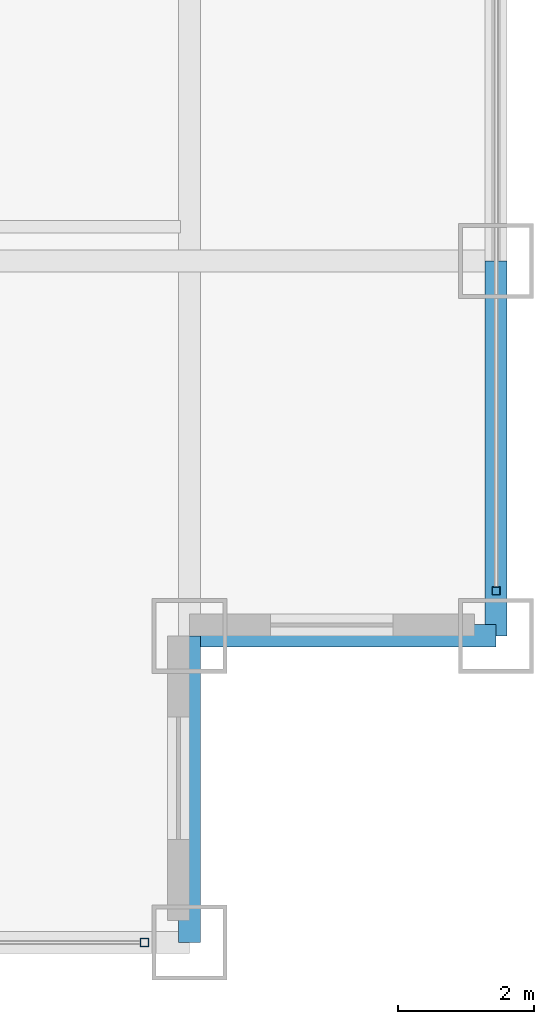
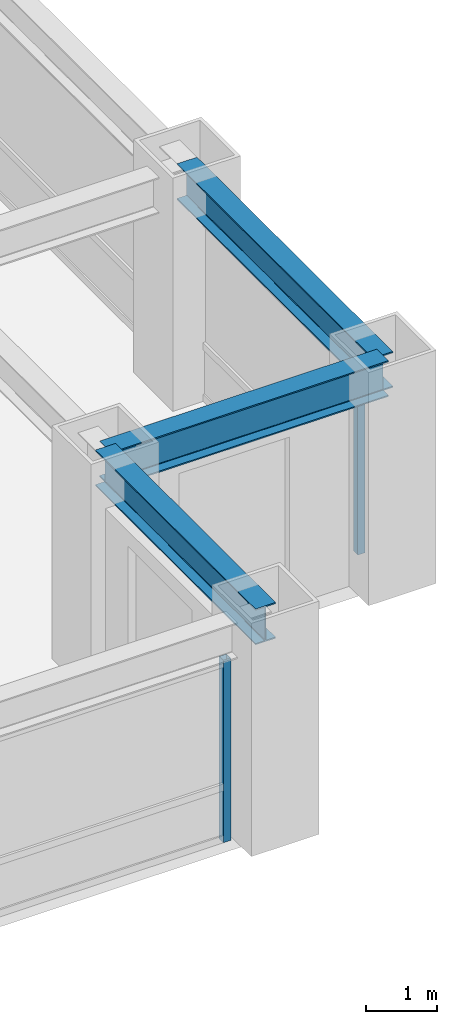
# One storey, part 8 of 25: 3 beams, 2 members, 2 elements without a shape of their own.
"""IFC4 building model written with IfcOpenShell, lengths in metres."""

from ifc_helpers import new_model, si_unit, direction, frame, origin, origin_2d, place, context, subcontext, project, spatial, hollow_rectangle, i_section, extrude, source, transform, mapped, material, material_profile, profile_set, type_object, element, aggregate, save


model = new_model("IFC4")

# Units and contexts
model_context = context("Model", 3, precision=1e-05, world=origin(), true_north=direction((0.0, 1.0)))
body_context = subcontext(model_context, "Body", "Model", "MODEL_VIEW")
ifc_project = project(units=[si_unit("LENGTHUNIT", "METRE"), si_unit("AREAUNIT", "SQUARE_METRE"), si_unit("VOLUMEUNIT", "CUBIC_METRE"), si_unit("PLANEANGLEUNIT", "RADIAN"), si_unit("MASSUNIT", "GRAM", prefix="KILO")], contexts=[model_context])

# Site, building, storey
site_placement = place(None, origin())
site = spatial("IfcSite", under=ifc_project, at=site_placement, CompositionType="ELEMENT")
building_placement = place(site_placement, origin())
building = spatial("IfcBuilding", under=site, at=building_placement, Name="Khorayat Bourse Tower", CompositionType="ELEMENT")
storey_placement = place(building_placement, frame((0.0, 0.0, 195.10009765625)))
storey = spatial("IfcBuildingStorey", under=building, at=storey_placement, Name="L45", CompositionType="ELEMENT", Elevation=195.10009765625)

# Beams
ifc_material_1 = material(Name="Steel ASTM A992 Grade 50", Category="steel")
ifc_material_profile_1 = material_profile(ifc_material_1, i_section(OverallWidth=0.324951171875, OverallDepth=0.615966796875, WebThickness=0.013916015625, FlangeThickness=0.021484375, FilletRadius=0.01611328125, at=origin_2d()), Name="W610X174")
ifc_profile_set_1 = profile_set([ifc_material_profile_1], Name="Steel ASTM A992 Grade 50")
beam_type = type_object("IfcBeamType", Name="BM-SPAN-610", PredefinedType="SPANDREL", material=ifc_profile_set_1)
shared_shape_1 = source(origin(), body_context, "Body", "SweptSolid", [
    extrude(i_section(OverallWidth=0.324951171875, OverallDepth=0.615966796875, WebThickness=0.013916015625, FlangeThickness=0.021484375, FilletRadius=0.01611328125, at=origin_2d()), origin(), (0.0, 0.0, 1.0), 5.5),
])
beam_placement = place(storey_placement, frame((30.0, -25.5, 3.471923828125), z_axis=(0.0, 1.0, 0.0), x_axis=(-1.0, 0.0, 0.0)))
element("IfcBeam", 1, at=beam_placement, inside=storey, type_object=beam_type, Name="L45 BM-SPAN-610 BM-L45-SPN-034", PredefinedType="SPANDREL", context=body_context, shape_type="MappedRepresentation", body=[
    mapped(shared_shape_1, transform((0.0, 0.0, 0.0), scale=1.0)),
])
shared_shape_2 = source(origin(), body_context, "Body", "SweptSolid", [
    extrude(i_section(OverallWidth=0.324951171875, OverallDepth=0.615966796875, WebThickness=0.013916015625, FlangeThickness=0.021484375, FilletRadius=0.01611328125, at=origin_2d()), origin(), (0.0, 0.0, 1.0), 4.5),
])
for number, where, z_axis, x_axis, name in (
    (2, (25.5, -30.0, 3.471923828125), (0.0, 1.0, 0.0), (-1.0, 0.0, 0.0), "L45 BM-SPAN-610 BM-L45-SPN-032"),
    (3, (25.5, -25.5, 3.471923828125), (1.0, 0.0, 0.0), (0.0, 1.0, 0.0), "L45 BM-SPAN-610 BM-L45-SPN-033"),
):
    element("IfcBeam", number, at=place(storey_placement, frame(where, z_axis=z_axis, x_axis=x_axis)), inside=storey, type_object=beam_type, Name=name, PredefinedType="SPANDREL", context=body_context, shape_type="MappedRepresentation", body=[
        mapped(shared_shape_2, transform((0.0, 0.0, 0.0), scale=1.0)),
    ])

# Curtain wall, member
ifc_material_2 = material(Name="Aluminium EN AW-6063 T6", Category="aluminium")
curtain_wall_type = type_object("IfcCurtainWallType", Name="CW-SYS-03", PredefinedType="NOTDEFINED", material=ifc_material_2)
curtain_wall_1_placement = place(storey_placement, origin())
curtain_wall_1 = element("IfcCurtainWall", 4, at=curtain_wall_1_placement, inside=storey, type_object=curtain_wall_type, Name="L45 Curtain Wall CW-L45-S1", PredefinedType="NOTDEFINED")
ifc_material_profile_2 = material_profile(ifc_material_2, hollow_rectangle(XDim=0.1201171875, YDim=0.1201171875, WallThickness=0.0048828125, at=origin_2d()), Name="ALU 120x120x5")
ifc_profile_set_2 = profile_set([ifc_material_profile_2], Name="Aluminium EN AW-6063 T6")
member_type = type_object("IfcMemberType", Name="CWM-VERT-120", PredefinedType="MULLION", material=ifc_profile_set_2)
shared_shape_3 = source(origin(), body_context, "Body", "SweptSolid", [
    extrude(hollow_rectangle(XDim=0.1201171875, YDim=0.1201171875, WallThickness=0.0048828125, at=origin_2d()), origin(), (0.0, 0.0, 1.0), 3.1298828125),
])
member_1_placement = place(storey_placement, frame((24.840087890625, -30.0, 0.0), z_axis=(0.0, 0.0, 1.0), x_axis=(0.0, 1.0, 0.0)))
member_1 = element("IfcMember", 5, at=member_1_placement, type_object=member_type, Name="CW-L45-S1 Vertical Mullion 3", PredefinedType="MULLION", context=body_context, shape_type="MappedRepresentation", body=[
    mapped(shared_shape_3, transform((0.0, 0.0, 0.0), scale=1.0)),
])
aggregate(curtain_wall_1, [member_1])

curtain_wall_2_placement = place(storey_placement, origin())
curtain_wall_2 = element("IfcCurtainWall", 6, at=curtain_wall_2_placement, inside=storey, type_object=curtain_wall_type, Name="L45 Curtain Wall CW-L45-E1", PredefinedType="NOTDEFINED")
member_2_placement = place(storey_placement, frame((30.0, -24.840087890625, 0.0), z_axis=(0.0, 0.0, 1.0), x_axis=(-1.0, 0.0, 0.0)))
member_2 = element("IfcMember", 7, at=member_2_placement, type_object=member_type, Name="CW-L45-E1 Vertical Mullion 1", PredefinedType="MULLION", context=body_context, shape_type="MappedRepresentation", body=[
    mapped(shared_shape_3, transform((0.0, 0.0, 0.0), scale=1.0)),
])
aggregate(curtain_wall_2, [member_2])

save(model, "model.ifc")
